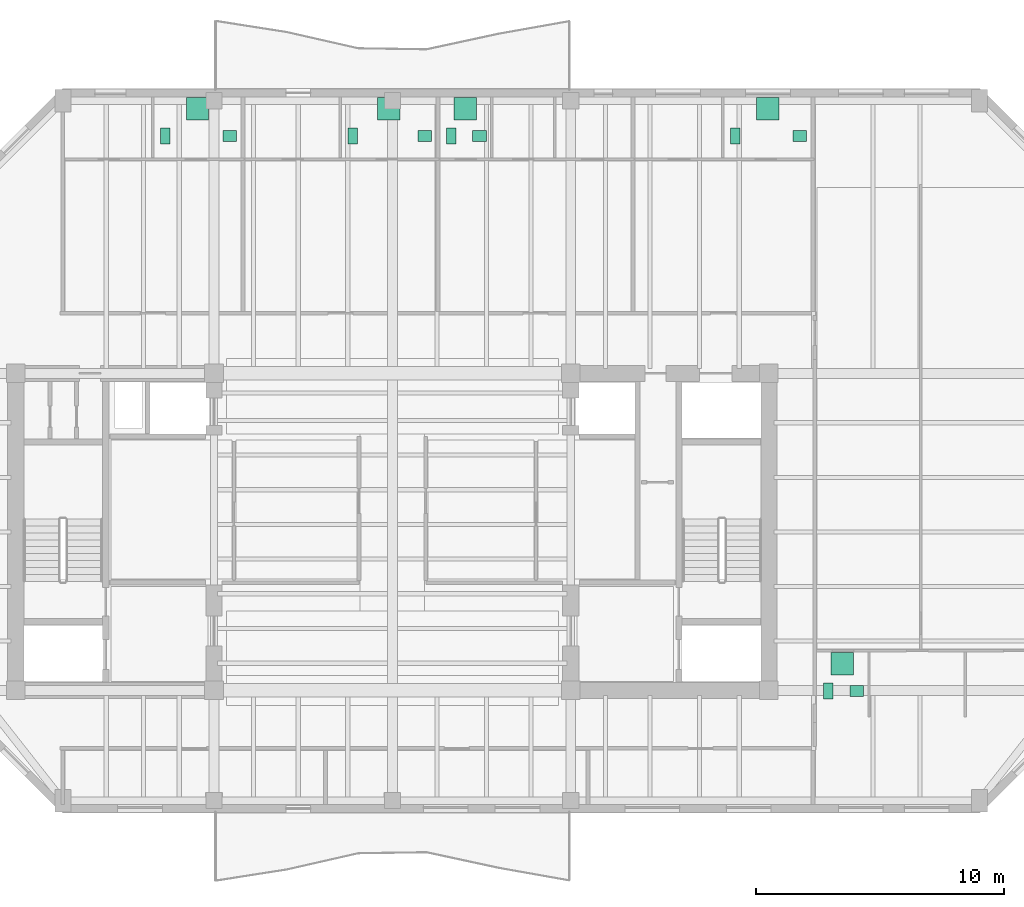
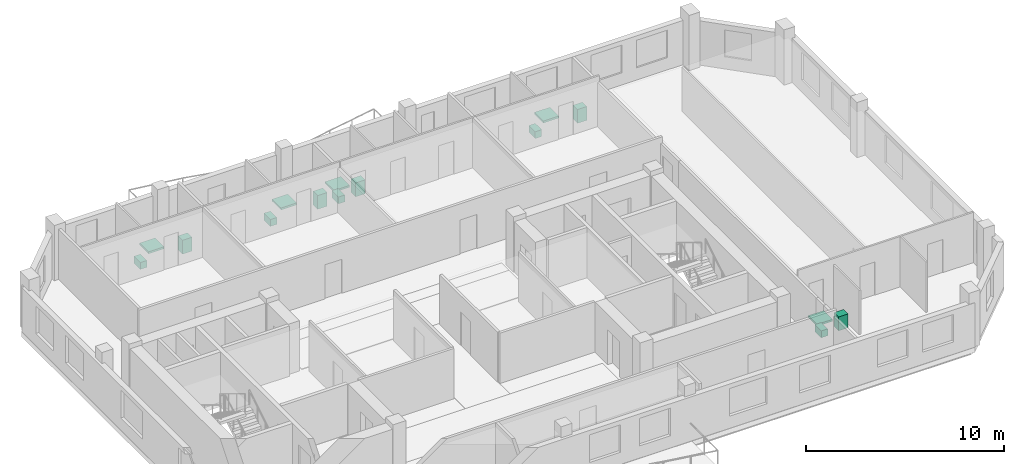
# One storey, part 9 of 9: 15 sanitary terminals.
"""IFC4 building model written with IfcOpenShell, lengths in metres."""

from ifc_helpers import new_model, si_unit, direction, frame, origin, origin_2d, place, context, subcontext, project, spatial, rectangle, extrude, material, type_object, element, save


model = new_model("IFC4")

# Units and contexts
model_context = context("Model", 3, precision=1e-05, world=origin(), true_north=direction((0.0, 1.0)))
body_context = subcontext(model_context, "Body", "Model", "MODEL_VIEW")
ifc_project = project(units=[si_unit("LENGTHUNIT", "METRE"), si_unit("AREAUNIT", "SQUARE_METRE"), si_unit("VOLUMEUNIT", "CUBIC_METRE"), si_unit("PLANEANGLEUNIT", "RADIAN"), si_unit("MASSUNIT", "GRAM", prefix="KILO")], contexts=[model_context])

# Site, building, storey
site_placement = place(None, origin())
site = spatial("IfcSite", under=ifc_project, at=site_placement, CompositionType="ELEMENT")
building_placement = place(site_placement, origin())
building = spatial("IfcBuilding", under=site, at=building_placement, Name="Kranthara Brick Stack", CompositionType="ELEMENT")
storey_placement = place(building_placement, frame((0.0, 0.0, 258.5)))
storey = spatial("IfcBuildingStorey", under=building, at=storey_placement, Name="L68", CompositionType="ELEMENT", Elevation=258.5)

# Sanitary terminals
ifc_material_1 = material(Name="Vitreous china sanitary porcelain", Category="other")
sanitary_terminal_type_1 = type_object("IfcSanitaryTerminalType", Name="SAN-BASIN", PredefinedType="WASHHANDBASIN", material=ifc_material_1)
for number, where, z_axis, x_axis, name in (
    (1, (21.43701171875, 43.175048828125, 0.0), (0.0, 0.0, 1.0), (1.0, 0.0, 0.0), "L68 Washbasin 352"),
    (2, (29.31005859375, 43.175048828125, 0.0), (0.0, 0.0, 1.0), (1.0, 0.0, 0.0), "L68 Washbasin 353"),
    (3, (31.52001953125, 43.175048828125, 0.0), (0.0, 0.0, 1.0), (1.0, 0.0, 0.0), "L68 Washbasin 354"),
    (4, (44.449951171875, 43.175048828125, 0.0), (0.0, 0.0, 1.0), (1.0, 0.0, 0.0), "L68 Washbasin 355"),
    (5, (46.739990234375, 20.77490234375, 0.0), (0.0, 0.0, 1.0), (1.0, 0.0, 0.0), "L68 Washbasin 356"),
):
    element("IfcSanitaryTerminal", number, at=place(storey_placement, frame(where, z_axis=z_axis, x_axis=x_axis)), inside=storey, type_object=sanitary_terminal_type_1, Name=name, PredefinedType="WASHHANDBASIN", context=body_context, shape_type="SweptSolid", body=[
        extrude(rectangle(XDim=0.550048828125, YDim=0.449951171875, at=origin_2d()), origin(), (0.0, 0.0, 1.0), 0.85009765625),
    ])
ifc_material_2 = material(Name="Acrylic and porcelain shower tray", Category="other")
sanitary_terminal_type_2 = type_object("IfcSanitaryTerminalType", Name="SAN-SHOWER", PredefinedType="SHOWER", material=ifc_material_2)
for number, where, z_axis, x_axis, name in (
    (6, (20.135986328125, 44.280029296875, 0.0), (0.0, 0.0, 1.0), (1.0, 0.0, 0.0), "L68 Shower Tray 352"),
    (7, (27.85693359375, 44.280029296875, 0.0), (0.0, 0.0, 1.0), (1.0, 0.0, 0.0), "L68 Shower Tray 353"),
    (8, (30.945068359375, 44.280029296875, 0.0), (0.0, 0.0, 1.0), (1.0, 0.0, 0.0), "L68 Shower Tray 354"),
    (9, (43.14794921875, 44.280029296875, 0.0), (0.0, 0.0, 1.0), (1.0, 0.0, 0.0), "L68 Shower Tray 355"),
    (10, (46.1650390625, 21.8798828125, 0.0), (0.0, 0.0, 1.0), (1.0, 0.0, 0.0), "L68 Shower Tray 356"),
):
    element("IfcSanitaryTerminal", number, at=place(storey_placement, frame(where, z_axis=z_axis, x_axis=x_axis)), inside=storey, type_object=sanitary_terminal_type_2, Name=name, PredefinedType="SHOWER", context=body_context, shape_type="SweptSolid", body=[
        extrude(rectangle(XDim=0.89990234375, YDim=0.89990234375, at=origin_2d()), origin(), (0.0, 0.0, 1.0), 0.1201171875),
    ])
ifc_material_3 = material(Name="Vitreous china sanitary porcelain", Category="other")
sanitary_terminal_type_3 = type_object("IfcSanitaryTerminalType", Name="SAN-WC-PAN", PredefinedType="TOILETPAN", material=ifc_material_3)
for number, where, z_axis, x_axis, name in (
    (11, (18.833984375, 43.175048828125, 0.0), (0.0, 0.0, 1.0), (1.0, 0.0, 0.0), "L68 WC Pan 352"),
    (12, (26.404052734375, 43.175048828125, 0.0), (0.0, 0.0, 1.0), (1.0, 0.0, 0.0), "L68 WC Pan 353"),
    (13, (30.3701171875, 43.175048828125, 0.0), (0.0, 0.0, 1.0), (1.0, 0.0, 0.0), "L68 WC Pan 354"),
    (14, (41.845947265625, 43.175048828125, 0.0), (0.0, 0.0, 1.0), (1.0, 0.0, 0.0), "L68 WC Pan 355"),
    (15, (45.590087890625, 20.77490234375, 0.0), (0.0, 0.0, 1.0), (1.0, 0.0, 0.0), "L68 WC Pan 356"),
):
    element("IfcSanitaryTerminal", number, at=place(storey_placement, frame(where, z_axis=z_axis, x_axis=x_axis)), inside=storey, type_object=sanitary_terminal_type_3, Name=name, PredefinedType="TOILETPAN", context=body_context, shape_type="SweptSolid", body=[
        extrude(rectangle(XDim=0.3798828125, YDim=0.64990234375, at=origin_2d()), origin(), (0.0, 0.0, 1.0), 0.419921875),
    ])

save(model, "model.ifc")
